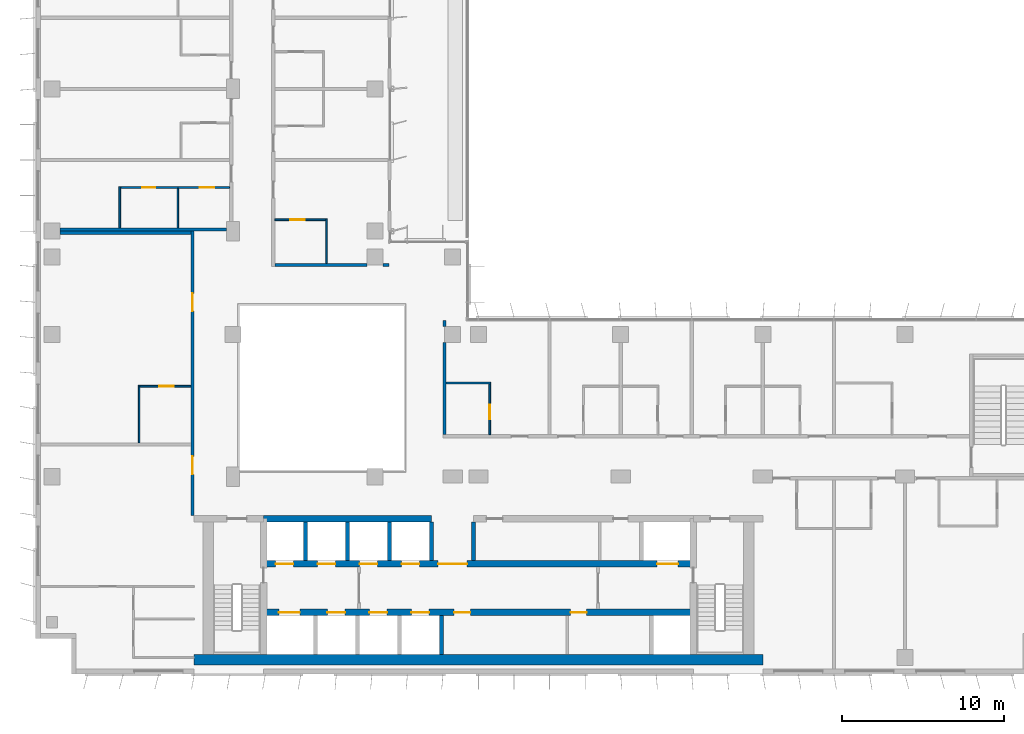
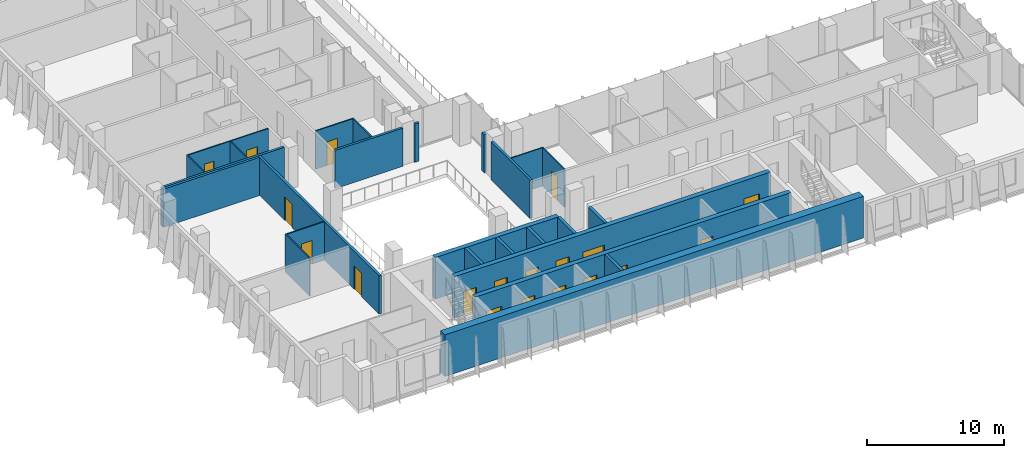
# One storey, part 12 of 22: 26 walls, 19 doors, 19 openings.
"""IFC4 building model written with IfcOpenShell, lengths in metres."""

from ifc_helpers import new_model, si_unit, direction, frame, frame_2d, origin, place, context, subcontext, project, spatial, rectangle, extrude, material, layer, layer_set, type_object, element, fill, save


model = new_model("IFC4")

# Units and contexts
model_context = context("Model", 3, precision=1e-05, world=origin(), true_north=direction((0.0, 1.0)))
body_context = subcontext(model_context, "Body", "Model", "MODEL_VIEW")
ifc_project = project(units=[si_unit("LENGTHUNIT", "METRE"), si_unit("AREAUNIT", "SQUARE_METRE"), si_unit("VOLUMEUNIT", "CUBIC_METRE"), si_unit("PLANEANGLEUNIT", "RADIAN"), si_unit("MASSUNIT", "GRAM", prefix="KILO")], contexts=[model_context])

# Site, building, storey
site_placement = place(None, origin())
site = spatial("IfcSite", under=ifc_project, at=site_placement, CompositionType="ELEMENT")
building_placement = place(site_placement, origin())
building = spatial("IfcBuilding", under=site, at=building_placement, Name="Kemantara Hotel Tower", CompositionType="ELEMENT")
storey_placement = place(building_placement, frame((0.0, 0.0, 153.10009765625)))
storey = spatial("IfcBuildingStorey", under=building, at=storey_placement, Name="L37", CompositionType="ELEMENT", Elevation=153.10009765625)

# Walls
ifc_material_1 = material(Name="Concrete fc 60 MPa", Category="concrete")
ifc_layer_1 = layer(ifc_material_1, 0.25)
ifc_layer_set_1 = layer_set([ifc_layer_1], Name="Concrete fc 60 MPa")
wall_type_1 = type_object("IfcWallType", Name="CORE WALL 250 FC60", PredefinedType="SHEAR", material=ifc_layer_set_1)
wall_1_placement = place(storey_placement, frame((25.10009765625, 1.199951171875, 0.0), z_axis=(0.0, 0.0, 1.0), x_axis=(0.0, 1.0, 0.0)))
element("IfcWall", 1, at=wall_1_placement, inside=storey, type_object=wall_type_1, Name="CORE WALL CW-DS25.1", PredefinedType="SHEAR", context=body_context, shape_type="SweptSolid", body=[
    extrude(rectangle(XDim=2.400146484375, YDim=0.25, at=frame_2d((1.2001953125, 0.0))), origin(), (0.0, 0.0, 1.0), 3.699951171875),
])
for number, where, z_axis, x_axis, name in (
    (2, (16.699951171875, 7.0, 0.0), (0.0, 0.0, 1.0), (0.0, 1.0, 0.0), "CORE WALL CW-DN16.7"),
    (3, (19.300048828125, 7.0, 0.0), (0.0, 0.0, 1.0), (0.0, 1.0, 0.0), "CORE WALL CW-DN19.3"),
    (4, (21.89990234375, 7.0, 0.0), (0.0, 0.0, 1.0), (0.0, 1.0, 0.0), "CORE WALL CW-DN21.9"),
    (5, (24.5, 7.0, 0.0), (0.0, 0.0, 1.0), (0.0, 1.0, 0.0), "CORE WALL CW-DN24.5"),
    (6, (27.10009765625, 7.0, 0.0), (0.0, 0.0, 1.0), (0.0, 1.0, 0.0), "CORE WALL CW-DN27.1"),
):
    element("IfcWall", number, at=place(storey_placement, frame(where, z_axis=z_axis, x_axis=x_axis)), inside=storey, type_object=wall_type_1, Name=name, PredefinedType="SHEAR", context=body_context, shape_type="SweptSolid", body=[
        extrude(rectangle(XDim=2.39990234375, YDim=0.25, at=frame_2d((1.199951171875, 0.0))), origin(), (0.0, 0.0, 1.0), 3.699951171875),
    ])
ifc_layer_2 = layer(ifc_material_1, 0.39990234375)
ifc_layer_set_2 = layer_set([ifc_layer_2], Name="Concrete fc 60 MPa")
wall_type_2 = type_object("IfcWallType", Name="CORE WALL 400 FC60", PredefinedType="SHEAR", material=ifc_layer_set_2)
wall_2_placement = place(storey_placement, frame((14.10009765625, 9.60009765625, 0.0), z_axis=(0.0, 0.0, 1.0), x_axis=(1.0, 0.0, 0.0)))
element("IfcWall", 7, at=wall_2_placement, inside=storey, type_object=wall_type_2, Name="CORE WALL CW-NN1", PredefinedType="SHEAR", context=body_context, shape_type="SweptSolid", body=[
    extrude(rectangle(XDim=10.39990234375, YDim=0.39990234375, at=frame_2d((5.199951171875, 0.0))), origin(), (0.0, 0.0, 1.0), 3.699951171875),
])

# Wall, openings, doors
wall_3_placement = place(storey_placement, frame((14.10009765625, 3.800048828125, 0.0), z_axis=(0.0, 0.0, 1.0), x_axis=(1.0, 0.0, 0.0)))
wall_3 = element("IfcWall", 8, at=wall_3_placement, inside=storey, type_object=wall_type_2, Name="CORE WALL CW-L1", PredefinedType="SHEAR", context=body_context, shape_type="SweptSolid", body=[
    extrude(rectangle(XDim=26.599853515625, YDim=0.39990234375, at=frame_2d((13.2998046875, 0.0))), origin(), (0.0, 0.0, 1.0), 3.699951171875),
])
opening_1_placement = place(wall_3_placement, frame((0.949951171875, 0.0, 0.0)))
opening_1 = element("IfcOpeningElement", 9, at=opening_1_placement, cuts=wall_3, Name="Opening C24-LD-FF1", PredefinedType="OPENING", context=body_context, shape_type="SweptSolid", body=[
    extrude(rectangle(XDim=1.300048828125, YDim=2.10009765625, at=frame_2d((0.64990234375, 1.050048828125))), frame((0.0, 0.2099609375, 0.0), z_axis=(0.0, -1.0, 0.0), x_axis=(1.0, 0.0, 0.0)), (0.0, 0.0, 1.0), 0.419921875),
])
opening_2_placement = place(wall_3_placement, frame((3.949951171875, 0.0, 0.0)))
opening_2 = element("IfcOpeningElement", 10, at=opening_2_placement, cuts=wall_3, Name="Opening C24-LD-SV1", PredefinedType="OPENING", context=body_context, shape_type="SweptSolid", body=[
    extrude(rectangle(XDim=1.10009765625, YDim=2.10009765625, at=frame_2d((0.550048828125, 1.050048828125))), frame((0.0, 0.2099609375, 0.0), z_axis=(0.0, -1.0, 0.0), x_axis=(1.0, 0.0, 0.0)), (0.0, 0.0, 1.0), 0.419921875),
])
opening_3_placement = place(wall_3_placement, frame((6.550048828125, 0.0, 0.0)))
opening_3 = element("IfcOpeningElement", 11, at=opening_3_placement, cuts=wall_3, Name="Opening C24-LD-SV2", PredefinedType="OPENING", context=body_context, shape_type="SweptSolid", body=[
    extrude(rectangle(XDim=1.10009765625, YDim=2.10009765625, at=frame_2d((0.550048828125, 1.050048828125))), frame((0.0, 0.2099609375, 0.0), z_axis=(0.0, -1.0, 0.0), x_axis=(1.0, 0.0, 0.0)), (0.0, 0.0, 1.0), 0.419921875),
])
opening_4_placement = place(wall_3_placement, frame((9.14990234375, 0.0, 0.0)))
opening_4 = element("IfcOpeningElement", 12, at=opening_4_placement, cuts=wall_3, Name="Opening C24-LD-SV3", PredefinedType="OPENING", context=body_context, shape_type="SweptSolid", body=[
    extrude(rectangle(XDim=1.10009765625, YDim=2.10009765625, at=frame_2d((0.550048828125, 1.050048828125))), frame((0.0, 0.2099609375, 0.0), z_axis=(0.0, -1.0, 0.0), x_axis=(1.0, 0.0, 0.0)), (0.0, 0.0, 1.0), 0.419921875),
])
opening_5_placement = place(wall_3_placement, frame((11.800048828125, 0.0, 0.0)))
opening_5 = element("IfcOpeningElement", 13, at=opening_5_placement, cuts=wall_3, Name="Opening C24-R-SM1", PredefinedType="OPENING", context=body_context, shape_type="SweptSolid", body=[
    extrude(rectangle(XDim=1.0, YDim=2.10009765625, at=frame_2d((0.5, 1.050048828125))), frame((0.0, 0.2099609375, 0.0), z_axis=(0.0, -1.0, 0.0), x_axis=(1.0, 0.0, 0.0)), (0.0, 0.0, 1.0), 0.419921875),
])
opening_6_placement = place(wall_3_placement, frame((19.0, 0.0, 0.0)))
opening_6 = element("IfcOpeningElement", 14, at=opening_6_placement, cuts=wall_3, Name="Opening C24-R-SM2", PredefinedType="OPENING", context=body_context, shape_type="SweptSolid", body=[
    extrude(rectangle(XDim=1.0, YDim=2.10009765625, at=frame_2d((0.5, 1.050048828125))), frame((0.0, 0.2099609375, 0.0), z_axis=(0.0, -1.0, 0.0), x_axis=(1.0, 0.0, 0.0)), (0.0, 0.0, 1.0), 0.419921875),
])
ifc_material_2 = material(Name="Steel fire door", Category="steel")
door_type_1 = type_object("IfcDoorType", Name="Fire door FD30S 1000 x 2100", OperationType="NOTDEFINED", PredefinedType="DOOR", material=ifc_material_2)
door_1_placement = place(opening_5_placement, frame((1.0, 0.0, 0.0), z_axis=(0.0, 0.0, 1.0), x_axis=(-1.0, 0.0, 0.0)))
door_1 = element("IfcDoor", 15, at=door_1_placement, inside=storey, type_object=door_type_1, Name="Housekeeping Store door", OperationType="SINGLE_SWING_RIGHT", OverallHeight=2.10009765625, OverallWidth=1.0, PredefinedType="DOOR", context=body_context, shape_type="SweptSolid", body=[
    extrude(rectangle(XDim=1.0, YDim=2.10009765625, at=frame_2d((0.5, 1.050048828125))), frame((0.0, 0.02490234375, 0.0), z_axis=(0.0, -1.0, 0.0), x_axis=(1.0, 0.0, 0.0)), (0.0, 0.0, 1.0), 0.050048828125),
])
fill(opening_5, door_1)
door_2_placement = place(opening_6_placement, frame((1.0, 0.0, 0.0), z_axis=(0.0, 0.0, 1.0), x_axis=(-1.0, 0.0, 0.0)))
door_2 = element("IfcDoor", 16, at=door_2_placement, inside=storey, type_object=door_type_1, Name="Staff Lounge door", OperationType="SINGLE_SWING_LEFT", OverallHeight=2.10009765625, OverallWidth=1.0, PredefinedType="DOOR", context=body_context, shape_type="SweptSolid", body=[
    extrude(rectangle(XDim=1.0, YDim=2.10009765625, at=frame_2d((0.5, 1.050048828125))), frame((0.0, 0.02490234375, 0.0), z_axis=(0.0, -1.0, 0.0), x_axis=(1.0, 0.0, 0.0)), (0.0, 0.0, 1.0), 0.050048828125),
])
fill(opening_6, door_2)
ifc_material_3 = material(Name="Stainless steel lift door", Category="steel")
door_type_2 = type_object("IfcDoorType", Name="Lift landing door 1100 x 2100 FD60", OperationType="DOUBLE_DOOR_SLIDING", PredefinedType="DOOR", material=ifc_material_3)
door_3_placement = place(opening_2_placement, origin())
door_3 = element("IfcDoor", 17, at=door_3_placement, inside=storey, type_object=door_type_2, Name="Lift SV1 landing door", OperationType="DOUBLE_DOOR_SLIDING", OverallHeight=2.10009765625, OverallWidth=1.10009765625, PredefinedType="DOOR", context=body_context, shape_type="SweptSolid", body=[
    extrude(rectangle(XDim=1.10009765625, YDim=2.10009765625, at=frame_2d((0.550048828125, 1.050048828125))), frame((0.0, 0.02490234375, 0.0), z_axis=(0.0, -1.0, 0.0), x_axis=(1.0, 0.0, 0.0)), (0.0, 0.0, 1.0), 0.050048828125),
])
fill(opening_2, door_3)
door_4_placement = place(opening_3_placement, origin())
door_4 = element("IfcDoor", 18, at=door_4_placement, inside=storey, type_object=door_type_2, Name="Lift SV2 landing door", OperationType="DOUBLE_DOOR_SLIDING", OverallHeight=2.10009765625, OverallWidth=1.10009765625, PredefinedType="DOOR", context=body_context, shape_type="SweptSolid", body=[
    extrude(rectangle(XDim=1.10009765625, YDim=2.10009765625, at=frame_2d((0.550048828125, 1.050048828125))), frame((0.0, 0.02490234375, 0.0), z_axis=(0.0, -1.0, 0.0), x_axis=(1.0, 0.0, 0.0)), (0.0, 0.0, 1.0), 0.050048828125),
])
fill(opening_3, door_4)
door_5_placement = place(opening_4_placement, origin())
door_5 = element("IfcDoor", 19, at=door_5_placement, inside=storey, type_object=door_type_2, Name="Lift SV3 landing door", OperationType="DOUBLE_DOOR_SLIDING", OverallHeight=2.10009765625, OverallWidth=1.10009765625, PredefinedType="DOOR", context=body_context, shape_type="SweptSolid", body=[
    extrude(rectangle(XDim=1.10009765625, YDim=2.10009765625, at=frame_2d((0.550048828125, 1.050048828125))), frame((0.0, 0.02490234375, 0.0), z_axis=(0.0, -1.0, 0.0), x_axis=(1.0, 0.0, 0.0)), (0.0, 0.0, 1.0), 0.050048828125),
])
fill(opening_4, door_5)
door_type_3 = type_object("IfcDoorType", Name="Lift landing door 1300 x 2100 FD90", OperationType="DOUBLE_DOOR_SLIDING", PredefinedType="DOOR", material=ifc_material_3)
door_6_placement = place(opening_1_placement, origin())
door_6 = element("IfcDoor", 20, at=door_6_placement, inside=storey, type_object=door_type_3, Name="Lift FF1 landing door", OperationType="DOUBLE_DOOR_SLIDING", OverallHeight=2.10009765625, OverallWidth=1.300048828125, PredefinedType="DOOR", context=body_context, shape_type="SweptSolid", body=[
    extrude(rectangle(XDim=1.300048828125, YDim=2.10009765625, at=frame_2d((0.64990234375, 1.050048828125))), frame((0.0, 0.02490234375, 0.0), z_axis=(0.0, -1.0, 0.0), x_axis=(1.0, 0.0, 0.0)), (0.0, 0.0, 1.0), 0.050048828125),
])
fill(opening_1, door_6)

wall_4_placement = place(storey_placement, frame((14.10009765625, 6.800048828125, 0.0), z_axis=(0.0, 0.0, 1.0), x_axis=(1.0, 0.0, 0.0)))
wall_4 = element("IfcWall", 21, at=wall_4_placement, inside=storey, type_object=wall_type_2, Name="CORE WALL CW-L2", PredefinedType="SHEAR", context=body_context, shape_type="SweptSolid", body=[
    extrude(rectangle(XDim=26.599853515625, YDim=0.39990234375, at=frame_2d((13.2998046875, 0.0))), origin(), (0.0, 0.0, 1.0), 3.699951171875),
])
opening_7_placement = place(wall_4_placement, frame((10.800048828125, 0.0, 0.0)))
opening_7 = element("IfcOpeningElement", 22, at=opening_7_placement, cuts=wall_4, Name="Opening C24-VL", PredefinedType="OPENING", context=body_context, shape_type="SweptSolid", body=[
    extrude(rectangle(XDim=1.800048828125, YDim=2.10009765625, at=frame_2d((0.89990234375, 1.050048828125))), frame((0.0, 0.2099609375, 0.0), z_axis=(0.0, -1.0, 0.0), x_axis=(1.0, 0.0, 0.0)), (0.0, 0.0, 1.0), 0.419921875),
])
opening_8_placement = place(wall_4_placement, frame((0.75, 0.0, 0.0)))
opening_8 = element("IfcOpeningElement", 23, at=opening_8_placement, cuts=wall_4, Name="Opening C24-LD-MR1", PredefinedType="OPENING", context=body_context, shape_type="SweptSolid", body=[
    extrude(rectangle(XDim=1.10009765625, YDim=2.10009765625, at=frame_2d((0.550048828125, 1.050048828125))), frame((0.0, 0.2099609375, 0.0), z_axis=(0.0, -1.0, 0.0), x_axis=(1.0, 0.0, 0.0)), (0.0, 0.0, 1.0), 0.419921875),
])
opening_9_placement = place(wall_4_placement, frame((3.35009765625, 0.0, 0.0)))
opening_9 = element("IfcOpeningElement", 24, at=opening_9_placement, cuts=wall_4, Name="Opening C24-LD-MR2", PredefinedType="OPENING", context=body_context, shape_type="SweptSolid", body=[
    extrude(rectangle(XDim=1.10009765625, YDim=2.10009765625, at=frame_2d((0.550048828125, 1.050048828125))), frame((0.0, 0.2099609375, 0.0), z_axis=(0.0, -1.0, 0.0), x_axis=(1.0, 0.0, 0.0)), (0.0, 0.0, 1.0), 0.419921875),
])
opening_10_placement = place(wall_4_placement, frame((5.949951171875, 0.0, 0.0)))
opening_10 = element("IfcOpeningElement", 25, at=opening_10_placement, cuts=wall_4, Name="Opening C24-LD-MR3", PredefinedType="OPENING", context=body_context, shape_type="SweptSolid", body=[
    extrude(rectangle(XDim=1.10009765625, YDim=2.10009765625, at=frame_2d((0.550048828125, 1.050048828125))), frame((0.0, 0.2099609375, 0.0), z_axis=(0.0, -1.0, 0.0), x_axis=(1.0, 0.0, 0.0)), (0.0, 0.0, 1.0), 0.419921875),
])
opening_11_placement = place(wall_4_placement, frame((8.550048828125, 0.0, 0.0)))
opening_11 = element("IfcOpeningElement", 26, at=opening_11_placement, cuts=wall_4, Name="Opening C24-LD-MR4", PredefinedType="OPENING", context=body_context, shape_type="SweptSolid", body=[
    extrude(rectangle(XDim=1.10009765625, YDim=2.10009765625, at=frame_2d((0.550048828125, 1.050048828125))), frame((0.0, 0.2099609375, 0.0), z_axis=(0.0, -1.0, 0.0), x_axis=(1.0, 0.0, 0.0)), (0.0, 0.0, 1.0), 0.419921875),
])
opening_12_placement = place(wall_4_placement, frame((24.35009765625, 0.0, 0.0)))
opening_12 = element("IfcOpeningElement", 27, at=opening_12_placement, cuts=wall_4, Name="Opening C24-LD-FF2", PredefinedType="OPENING", context=body_context, shape_type="SweptSolid", body=[
    extrude(rectangle(XDim=1.300048828125, YDim=2.10009765625, at=frame_2d((0.64990234375, 1.050048828125))), frame((0.0, 0.2099609375, 0.0), z_axis=(0.0, -1.0, 0.0), x_axis=(1.0, 0.0, 0.0)), (0.0, 0.0, 1.0), 0.419921875),
])
door_type_4 = type_object("IfcDoorType", Name="Fire door pair FD60 1800 x 2100", OperationType="DOUBLE_DOOR_SINGLE_SWING", PredefinedType="DOOR", material=ifc_material_2)
door_7_placement = place(opening_7_placement, frame((1.800048828125, 0.0, 0.0), z_axis=(0.0, 0.0, 1.0), x_axis=(-1.0, 0.0, 0.0)))
door_7 = element("IfcDoor", 28, at=door_7_placement, inside=storey, type_object=door_type_4, Name="Lift lobby entry door", OperationType="DOUBLE_DOOR_SINGLE_SWING", OverallHeight=2.10009765625, OverallWidth=1.800048828125, PredefinedType="DOOR", context=body_context, shape_type="SweptSolid", body=[
    extrude(rectangle(XDim=1.800048828125, YDim=2.10009765625, at=frame_2d((0.89990234375, 1.050048828125))), frame((0.0, 0.02490234375, 0.0), z_axis=(0.0, -1.0, 0.0), x_axis=(1.0, 0.0, 0.0)), (0.0, 0.0, 1.0), 0.050048828125),
])
fill(opening_7, door_7)
door_8_placement = place(opening_8_placement, origin())
door_8 = element("IfcDoor", 29, at=door_8_placement, inside=storey, type_object=door_type_2, Name="Lift MR1 landing door", OperationType="DOUBLE_DOOR_SLIDING", OverallHeight=2.10009765625, OverallWidth=1.10009765625, PredefinedType="DOOR", context=body_context, shape_type="SweptSolid", body=[
    extrude(rectangle(XDim=1.10009765625, YDim=2.10009765625, at=frame_2d((0.550048828125, 1.050048828125))), frame((0.0, 0.02490234375, 0.0), z_axis=(0.0, -1.0, 0.0), x_axis=(1.0, 0.0, 0.0)), (0.0, 0.0, 1.0), 0.050048828125),
])
fill(opening_8, door_8)
door_9_placement = place(opening_9_placement, origin())
door_9 = element("IfcDoor", 30, at=door_9_placement, inside=storey, type_object=door_type_2, Name="Lift MR2 landing door", OperationType="DOUBLE_DOOR_SLIDING", OverallHeight=2.10009765625, OverallWidth=1.10009765625, PredefinedType="DOOR", context=body_context, shape_type="SweptSolid", body=[
    extrude(rectangle(XDim=1.10009765625, YDim=2.10009765625, at=frame_2d((0.550048828125, 1.050048828125))), frame((0.0, 0.02490234375, 0.0), z_axis=(0.0, -1.0, 0.0), x_axis=(1.0, 0.0, 0.0)), (0.0, 0.0, 1.0), 0.050048828125),
])
fill(opening_9, door_9)
door_10_placement = place(opening_10_placement, origin())
door_10 = element("IfcDoor", 31, at=door_10_placement, inside=storey, type_object=door_type_2, Name="Lift MR3 landing door", OperationType="DOUBLE_DOOR_SLIDING", OverallHeight=2.10009765625, OverallWidth=1.10009765625, PredefinedType="DOOR", context=body_context, shape_type="SweptSolid", body=[
    extrude(rectangle(XDim=1.10009765625, YDim=2.10009765625, at=frame_2d((0.550048828125, 1.050048828125))), frame((0.0, 0.02490234375, 0.0), z_axis=(0.0, -1.0, 0.0), x_axis=(1.0, 0.0, 0.0)), (0.0, 0.0, 1.0), 0.050048828125),
])
fill(opening_10, door_10)
door_11_placement = place(opening_11_placement, origin())
door_11 = element("IfcDoor", 32, at=door_11_placement, inside=storey, type_object=door_type_2, Name="Lift MR4 landing door", OperationType="DOUBLE_DOOR_SLIDING", OverallHeight=2.10009765625, OverallWidth=1.10009765625, PredefinedType="DOOR", context=body_context, shape_type="SweptSolid", body=[
    extrude(rectangle(XDim=1.10009765625, YDim=2.10009765625, at=frame_2d((0.550048828125, 1.050048828125))), frame((0.0, 0.02490234375, 0.0), z_axis=(0.0, -1.0, 0.0), x_axis=(1.0, 0.0, 0.0)), (0.0, 0.0, 1.0), 0.050048828125),
])
fill(opening_11, door_11)
door_12_placement = place(opening_12_placement, origin())
door_12 = element("IfcDoor", 33, at=door_12_placement, inside=storey, type_object=door_type_3, Name="Lift FF2 landing door", OperationType="DOUBLE_DOOR_SLIDING", OverallHeight=2.10009765625, OverallWidth=1.300048828125, PredefinedType="DOOR", context=body_context, shape_type="SweptSolid", body=[
    extrude(rectangle(XDim=1.300048828125, YDim=2.10009765625, at=frame_2d((0.64990234375, 1.050048828125))), frame((0.0, 0.02490234375, 0.0), z_axis=(0.0, -1.0, 0.0), x_axis=(1.0, 0.0, 0.0)), (0.0, 0.0, 1.0), 0.050048828125),
])
fill(opening_12, door_12)

# Wall
ifc_layer_3 = layer(ifc_material_1, 0.64990234375)
ifc_layer_set_3 = layer_set([ifc_layer_3], Name="Concrete fc 60 MPa")
wall_type_3 = type_object("IfcWallType", Name="CORE WALL 650 FC60", PredefinedType="SHEAR", material=ifc_layer_set_3)
wall_5_placement = place(storey_placement, frame((9.800048828125, 0.875, 0.0), z_axis=(0.0, 0.0, 1.0), x_axis=(1.0, 0.0, 0.0)))
element("IfcWall", 34, at=wall_5_placement, inside=storey, type_object=wall_type_3, Name="CORE WALL CW-S", PredefinedType="SHEAR", context=body_context, shape_type="SweptSolid", body=[
    extrude(rectangle(XDim=35.199951171875, YDim=0.64990234375, at=frame_2d((17.60009765625, 0.0))), origin(), (0.0, 0.0, 1.0), 3.699951171875),
])

# Wall, openings, doors
ifc_material_4 = material(Name="Gypsum board partition, steel studs and mineral wool, 200 mm", Category="steel")
ifc_layer_4 = layer(ifc_material_4, 0.199951171875)
ifc_layer_set_4 = layer_set([ifc_layer_4], Name="Gypsum board partition, steel studs and mineral wool, 200 mm")
wall_type_4 = type_object("IfcWallType", Name="CORRIDOR WALL 200", PredefinedType="PARTITIONING", material=ifc_layer_set_4)
wall_6_placement = place(storey_placement, frame((9.699951171875, 9.800048828125, 0.0), z_axis=(0.0, 0.0, 1.0), x_axis=(0.0, 1.0, 0.0)))
wall_6 = element("IfcWall", 35, at=wall_6_placement, inside=storey, type_object=wall_type_4, Name="CORRIDOR WALL 200 014", PredefinedType="PARTITIONING", context=body_context, shape_type="SweptSolid", body=[
    extrude(rectangle(XDim=17.599853515625, YDim=0.199951171875, at=frame_2d((8.7998046875, 0.0))), origin(), (0.0, 0.0, 1.0), 3.39990234375),
])
opening_13_placement = place(wall_6_placement, frame((2.550048828125, 0.0, 0.0)))
opening_13 = element("IfcOpeningElement", 36, at=opening_13_placement, cuts=wall_6, Name="Opening F17-019", PredefinedType="OPENING", context=body_context, shape_type="SweptSolid", body=[
    extrude(rectangle(XDim=1.10009765625, YDim=2.10009765625, at=frame_2d((0.550048828125, 1.050048828125))), frame((0.0, 0.10986328125, 0.0), z_axis=(0.0, -1.0, 0.0), x_axis=(1.0, 0.0, 0.0)), (0.0, 0.0, 1.0), 0.219970703125),
])
opening_14_placement = place(wall_6_placement, frame((12.64990234375, 0.0, 0.0)))
opening_14 = element("IfcOpeningElement", 37, at=opening_14_placement, cuts=wall_6, Name="Opening F17-023", PredefinedType="OPENING", context=body_context, shape_type="SweptSolid", body=[
    extrude(rectangle(XDim=1.10009765625, YDim=2.10009765625, at=frame_2d((0.550048828125, 1.050048828125))), frame((0.0, 0.10986328125, 0.0), z_axis=(0.0, -1.0, 0.0), x_axis=(1.0, 0.0, 0.0)), (0.0, 0.0, 1.0), 0.219970703125),
])
ifc_material_5 = material(Name="Hardwood veneer door leaf with steel frame", Category="steel")
door_type_5 = type_object("IfcDoorType", Name="SUITE ENTRANCE DOOR 1100 X 2100 FD30S", OperationType="NOTDEFINED", PredefinedType="DOOR", material=ifc_material_5)
door_13_placement = place(opening_13_placement, origin())
door_13 = element("IfcDoor", 38, at=door_13_placement, inside=storey, type_object=door_type_5, Name="SUITE ENTRANCE DOOR F17-019", OperationType="SINGLE_SWING_RIGHT", OverallHeight=2.10009765625, OverallWidth=1.10009765625, PredefinedType="DOOR", context=body_context, shape_type="SweptSolid", body=[
    extrude(rectangle(XDim=1.10009765625, YDim=2.10009765625, at=frame_2d((0.550048828125, 1.050048828125))), frame((0.0, 0.02490234375, 0.0), z_axis=(0.0, -1.0, 0.0), x_axis=(1.0, 0.0, 0.0)), (0.0, 0.0, 1.0), 0.050048828125),
])
fill(opening_13, door_13)
door_14_placement = place(opening_14_placement, origin())
door_14 = element("IfcDoor", 39, at=door_14_placement, inside=storey, type_object=door_type_5, Name="SUITE ENTRANCE DOOR F17-023", OperationType="SINGLE_SWING_RIGHT", OverallHeight=2.10009765625, OverallWidth=1.10009765625, PredefinedType="DOOR", context=body_context, shape_type="SweptSolid", body=[
    extrude(rectangle(XDim=1.10009765625, YDim=2.10009765625, at=frame_2d((0.550048828125, 1.050048828125))), frame((0.0, 0.02490234375, 0.0), z_axis=(0.0, -1.0, 0.0), x_axis=(1.0, 0.0, 0.0)), (0.0, 0.0, 1.0), 0.050048828125),
])
fill(opening_14, door_14)

# Walls
ifc_layer_5 = layer(ifc_material_4, 0.199951171875)
ifc_layer_set_5 = layer_set([ifc_layer_5], Name="Gypsum board partition, steel studs and mineral wool, 200 mm")
wall_type_5 = type_object("IfcWallType", Name="GUEST ROOM PARTY WALL 200", PredefinedType="PARTITIONING", material=ifc_layer_set_5)
wall_7_placement = place(storey_placement, frame((25.300048828125, 14.800048828125, 0.0), z_axis=(0.0, 0.0, 1.0), x_axis=(0.0, 1.0, 0.0)))
element("IfcWall", 40, at=wall_7_placement, inside=storey, type_object=wall_type_5, Name="GUEST ROOM PARTY WALL 200 008", PredefinedType="PARTITIONING", context=body_context, shape_type="SweptSolid", body=[
    extrude(rectangle(XDim=5.699951171875, YDim=0.199951171875, at=frame_2d((2.85009765625, 0.0))), origin(), (0.0, 0.0, 1.0), 3.39990234375),
])
wall_8_placement = place(storey_placement, frame((25.300048828125, 21.5, 0.0), z_axis=(0.0, 0.0, 1.0), x_axis=(0.0, 1.0, 0.0)))
element("IfcWall", 41, at=wall_8_placement, inside=storey, type_object=wall_type_5, Name="GUEST ROOM PARTY WALL 200 009", PredefinedType="PARTITIONING", context=body_context, shape_type="SweptSolid", body=[
    extrude(rectangle(XDim=0.3701171875, YDim=0.199951171875, at=frame_2d((0.18505859375, 0.0))), origin(), (0.0, 0.0, 1.0), 3.39990234375),
])
wall_9_placement = place(storey_placement, frame((1.5, 27.300048828125, 0.0), z_axis=(0.0, 0.0, 1.0), x_axis=(1.0, 0.0, 0.0)))
element("IfcWall", 42, at=wall_9_placement, inside=storey, type_object=wall_type_5, Name="GUEST ROOM PARTY WALL 200 016", PredefinedType="PARTITIONING", context=body_context, shape_type="SweptSolid", body=[
    extrude(rectangle(XDim=8.10009765625, YDim=0.199951171875, at=frame_2d((4.050048828125, 0.0))), origin(), (0.0, 0.0, 1.0), 3.39990234375),
])
wall_10_placement = place(storey_placement, frame((1.5, 27.5, 0.0), z_axis=(0.0, 0.0, 1.0), x_axis=(1.0, 0.0, 0.0)))
element("IfcWall", 43, at=wall_10_placement, inside=storey, type_object=wall_type_5, Name="GUEST ROOM PARTY WALL 200 021", PredefinedType="PARTITIONING", context=body_context, shape_type="SweptSolid", body=[
    extrude(rectangle(XDim=10.2998046875, YDim=0.199951171875, at=frame_2d((5.14990234375, 0.0))), origin(), (0.0, 0.0, 1.0), 3.39990234375),
])
wall_11_placement = place(storey_placement, frame((14.800048828125, 25.300048828125, 0.0), z_axis=(0.0, 0.0, 1.0), x_axis=(1.0, 0.0, 0.0)))
element("IfcWall", 44, at=wall_11_placement, inside=storey, type_object=wall_type_5, Name="GUEST ROOM PARTY WALL 200 033", PredefinedType="PARTITIONING", context=body_context, shape_type="SweptSolid", body=[
    extrude(rectangle(XDim=5.699951171875, YDim=0.199951171875, at=frame_2d((2.85009765625, 0.0))), origin(), (0.0, 0.0, 1.0), 3.39990234375),
])
wall_12_placement = place(storey_placement, frame((21.5, 25.300048828125, 0.0), z_axis=(0.0, 0.0, 1.0), x_axis=(1.0, 0.0, 0.0)))
element("IfcWall", 45, at=wall_12_placement, inside=storey, type_object=wall_type_5, Name="GUEST ROOM PARTY WALL 200 034", PredefinedType="PARTITIONING", context=body_context, shape_type="SweptSolid", body=[
    extrude(rectangle(XDim=0.3701171875, YDim=0.199951171875, at=frame_2d((0.18505859375, 0.0))), origin(), (0.0, 0.0, 1.0), 3.39990234375),
])
ifc_material_6 = material(Name="Gypsum board partition on steel studs, 100 mm", Category="steel")
ifc_layer_6 = layer(ifc_material_6, 0.10009765625)
ifc_layer_set_6 = layer_set([ifc_layer_6], Name="Gypsum board partition on steel studs, 100 mm")
wall_type_6 = type_object("IfcWallType", Name="ROOM PARTITION 100", PredefinedType="PARTITIONING", material=ifc_layer_set_6)
wall_13_placement = place(storey_placement, frame((25.39990234375, 18.0, 0.0), z_axis=(0.0, 0.0, 1.0), x_axis=(1.0, 0.0, 0.0)))
element("IfcWall", 46, at=wall_13_placement, inside=storey, type_object=wall_type_6, Name="ROOM PARTITION 100 043", PredefinedType="PARTITIONING", context=body_context, shape_type="SweptSolid", body=[
    extrude(rectangle(XDim=2.75, YDim=0.10009765625, at=frame_2d((1.375, 0.0))), origin(), (0.0, 0.0, 1.0), 3.39990234375),
])

# Wall, opening, door
wall_14_placement = place(storey_placement, frame((28.10009765625, 14.800048828125, 0.0), z_axis=(0.0, 0.0, 1.0), x_axis=(0.0, 1.0, 0.0)))
wall_14 = element("IfcWall", 47, at=wall_14_placement, inside=storey, type_object=wall_type_6, Name="ROOM PARTITION 100 045", PredefinedType="PARTITIONING", context=body_context, shape_type="SweptSolid", body=[
    extrude(rectangle(XDim=3.14990234375, YDim=0.10009765625, at=frame_2d((1.574951171875, 0.0))), origin(), (0.0, 0.0, 1.0), 3.39990234375),
])
opening_15_placement = place(wall_14_placement, frame((0.949951171875, 0.0, 0.0)))
opening_15 = element("IfcOpeningElement", 48, at=opening_15_placement, cuts=wall_14, Name="Opening F17-008", PredefinedType="OPENING", context=body_context, shape_type="SweptSolid", body=[
    extrude(rectangle(XDim=0.89990234375, YDim=2.10009765625, at=frame_2d((0.449951171875, 1.050048828125))), frame((0.0, 0.06005859375, 0.0), z_axis=(0.0, -1.0, 0.0), x_axis=(1.0, 0.0, 0.0)), (0.0, 0.0, 1.0), 0.1201171875),
])
door_type_6 = type_object("IfcDoorType", Name="BATHROOM DOOR 900 X 2100", OperationType="NOTDEFINED", PredefinedType="DOOR", material=ifc_material_5)
door_15_placement = place(opening_15_placement, origin())
door_15 = element("IfcDoor", 49, at=door_15_placement, inside=storey, type_object=door_type_6, Name="BATHROOM DOOR F17-008", OperationType="SINGLE_SWING_LEFT", OverallHeight=2.10009765625, OverallWidth=0.89990234375, PredefinedType="DOOR", context=body_context, shape_type="SweptSolid", body=[
    extrude(rectangle(XDim=0.89990234375, YDim=2.10009765625, at=frame_2d((0.449951171875, 1.050048828125))), frame((0.0, 0.02490234375, 0.0), z_axis=(0.0, -1.0, 0.0), x_axis=(1.0, 0.0, 0.0)), (0.0, 0.0, 1.0), 0.050048828125),
])
fill(opening_15, door_15)

wall_15_placement = place(storey_placement, frame((9.60009765625, 17.800048828125, 0.0), z_axis=(0.0, 0.0, 1.0), x_axis=(-1.0, 0.0, 0.0)))
wall_15 = element("IfcWall", 50, at=wall_15_placement, inside=storey, type_object=wall_type_6, Name="ROOM PARTITION 100 046", PredefinedType="PARTITIONING", context=body_context, shape_type="SweptSolid", body=[
    extrude(rectangle(XDim=3.150146484375, YDim=0.10009765625, at=frame_2d((1.5751953125, 0.0))), origin(), (0.0, 0.0, 1.0), 3.39990234375),
])
opening_16_placement = place(wall_15_placement, frame((1.050048828125, 0.0, 0.0)))
opening_16 = element("IfcOpeningElement", 51, at=opening_16_placement, cuts=wall_15, Name="Opening F17-024", PredefinedType="OPENING", context=body_context, shape_type="SweptSolid", body=[
    extrude(rectangle(XDim=0.89990234375, YDim=2.10009765625, at=frame_2d((0.449951171875, 1.050048828125))), frame((0.0, 0.06005859375, 0.0), z_axis=(0.0, -1.0, 0.0), x_axis=(1.0, 0.0, 0.0)), (0.0, 0.0, 1.0), 0.1201171875),
])
door_16_placement = place(opening_16_placement, origin())
door_16 = element("IfcDoor", 52, at=door_16_placement, inside=storey, type_object=door_type_6, Name="BATHROOM DOOR F17-024", OperationType="SINGLE_SWING_LEFT", OverallHeight=2.10009765625, OverallWidth=0.89990234375, PredefinedType="DOOR", context=body_context, shape_type="SweptSolid", body=[
    extrude(rectangle(XDim=0.89990234375, YDim=2.10009765625, at=frame_2d((0.449951171875, 1.050048828125))), frame((0.0, 0.02490234375, 0.0), z_axis=(0.0, -1.0, 0.0), x_axis=(1.0, 0.0, 0.0)), (0.0, 0.0, 1.0), 0.050048828125),
])
fill(opening_16, door_16)

# Walls
wall_16_placement = place(storey_placement, frame((6.39990234375, 14.300048828125, 0.0), z_axis=(0.0, 0.0, 1.0), x_axis=(0.0, 1.0, 0.0)))
element("IfcWall", 53, at=wall_16_placement, inside=storey, type_object=wall_type_6, Name="ROOM PARTITION 100 060", PredefinedType="PARTITIONING", context=body_context, shape_type="SweptSolid", body=[
    extrude(rectangle(XDim=3.550048828125, YDim=0.10009765625, at=frame_2d((1.77490234375, 0.0))), origin(), (0.0, 0.0, 1.0), 3.39990234375),
])
wall_17_placement = place(storey_placement, frame((5.199951171875, 27.60009765625, 0.0), z_axis=(0.0, 0.0, 1.0), x_axis=(0.0, 1.0, 0.0)))
element("IfcWall", 54, at=wall_17_placement, inside=storey, type_object=wall_type_6, Name="ROOM PARTITION 100 061", PredefinedType="PARTITIONING", context=body_context, shape_type="SweptSolid", body=[
    extrude(rectangle(XDim=2.5498046875, YDim=0.10009765625, at=frame_2d((1.27490234375, 0.0))), origin(), (0.0, 0.0, 1.0), 3.39990234375),
])
wall_18_placement = place(storey_placement, frame((8.800048828125, 27.60009765625, 0.0), z_axis=(0.0, 0.0, 1.0), x_axis=(0.0, 1.0, 0.0)))
element("IfcWall", 55, at=wall_18_placement, inside=storey, type_object=wall_type_6, Name="ROOM PARTITION 100 062", PredefinedType="PARTITIONING", context=body_context, shape_type="SweptSolid", body=[
    extrude(rectangle(XDim=2.449951171875, YDim=0.10009765625, at=frame_2d((1.22509765625, 0.0))), origin(), (0.0, 0.0, 1.0), 3.39990234375),
])

# Wall, openings, doors
wall_19_placement = place(storey_placement, frame((12.0, 30.10009765625, 0.0), z_axis=(0.0, 0.0, 1.0), x_axis=(-1.0, 0.0, 0.0)))
wall_19 = element("IfcWall", 56, at=wall_19_placement, inside=storey, type_object=wall_type_6, Name="ROOM PARTITION 100 065", PredefinedType="PARTITIONING", context=body_context, shape_type="SweptSolid", body=[
    extrude(rectangle(XDim=6.75, YDim=0.10009765625, at=frame_2d((3.375, 0.0))), origin(), (0.0, 0.0, 1.0), 3.39990234375),
])
opening_17_placement = place(wall_19_placement, frame((0.949951171875, 0.0, 0.0)))
opening_17 = element("IfcOpeningElement", 57, at=opening_17_placement, cuts=wall_19, Name="Opening F17-026", PredefinedType="OPENING", context=body_context, shape_type="SweptSolid", body=[
    extrude(rectangle(XDim=0.89990234375, YDim=2.10009765625, at=frame_2d((0.449951171875, 1.050048828125))), frame((0.0, 0.06005859375, 0.0), z_axis=(0.0, -1.0, 0.0), x_axis=(1.0, 0.0, 0.0)), (0.0, 0.0, 1.0), 0.1201171875),
])
opening_18_placement = place(wall_19_placement, frame((4.60009765625, 0.0, 0.0)))
opening_18 = element("IfcOpeningElement", 58, at=opening_18_placement, cuts=wall_19, Name="Opening F17-027", PredefinedType="OPENING", context=body_context, shape_type="SweptSolid", body=[
    extrude(rectangle(XDim=0.800048828125, YDim=2.10009765625, at=frame_2d((0.39990234375, 1.050048828125))), frame((0.0, 0.06005859375, 0.0), z_axis=(0.0, -1.0, 0.0), x_axis=(1.0, 0.0, 0.0)), (0.0, 0.0, 1.0), 0.1201171875),
])
door_17_placement = place(opening_17_placement, origin())
door_17 = element("IfcDoor", 59, at=door_17_placement, inside=storey, type_object=door_type_6, Name="BATHROOM DOOR F17-026", OperationType="SINGLE_SWING_LEFT", OverallHeight=2.10009765625, OverallWidth=0.89990234375, PredefinedType="DOOR", context=body_context, shape_type="SweptSolid", body=[
    extrude(rectangle(XDim=0.89990234375, YDim=2.10009765625, at=frame_2d((0.449951171875, 1.050048828125))), frame((0.0, 0.02490234375, 0.0), z_axis=(0.0, -1.0, 0.0), x_axis=(1.0, 0.0, 0.0)), (0.0, 0.0, 1.0), 0.050048828125),
])
fill(opening_17, door_17)
door_type_7 = type_object("IfcDoorType", Name="INTERNAL DOOR 800 X 2100", OperationType="NOTDEFINED", PredefinedType="DOOR", material=ifc_material_5)
door_18_placement = place(opening_18_placement, origin())
door_18 = element("IfcDoor", 60, at=door_18_placement, inside=storey, type_object=door_type_7, Name="INTERNAL DOOR F17-027", OperationType="SINGLE_SWING_LEFT", OverallHeight=2.10009765625, OverallWidth=0.800048828125, PredefinedType="DOOR", context=body_context, shape_type="SweptSolid", body=[
    extrude(rectangle(XDim=0.800048828125, YDim=2.10009765625, at=frame_2d((0.39990234375, 1.050048828125))), frame((0.0, 0.02490234375, 0.0), z_axis=(0.0, -1.0, 0.0), x_axis=(1.0, 0.0, 0.0)), (0.0, 0.0, 1.0), 0.050048828125),
])
fill(opening_18, door_18)

# Wall
wall_20_placement = place(storey_placement, frame((18.0, 25.39990234375, 0.0), z_axis=(0.0, 0.0, 1.0), x_axis=(0.0, 1.0, 0.0)))
element("IfcWall", 61, at=wall_20_placement, inside=storey, type_object=wall_type_6, Name="ROOM PARTITION 100 074", PredefinedType="PARTITIONING", context=body_context, shape_type="SweptSolid", body=[
    extrude(rectangle(XDim=2.75, YDim=0.10009765625, at=frame_2d((1.375, 0.0))), origin(), (0.0, 0.0, 1.0), 3.39990234375),
])

# Wall, opening, door
wall_21_placement = place(storey_placement, frame((17.949951171875, 28.10009765625, 0.0), z_axis=(0.0, 0.0, 1.0), x_axis=(-1.0, 0.0, 0.0)))
wall_21 = element("IfcWall", 62, at=wall_21_placement, inside=storey, type_object=wall_type_6, Name="ROOM PARTITION 100 075", PredefinedType="PARTITIONING", context=body_context, shape_type="SweptSolid", body=[
    extrude(rectangle(XDim=3.14990234375, YDim=0.10009765625, at=frame_2d((1.574951171875, 0.0))), origin(), (0.0, 0.0, 1.0), 3.39990234375),
])
opening_19_placement = place(wall_21_placement, frame((1.300048828125, 0.0, 0.0)))
opening_19 = element("IfcOpeningElement", 63, at=opening_19_placement, cuts=wall_21, Name="Opening F17-039", PredefinedType="OPENING", context=body_context, shape_type="SweptSolid", body=[
    extrude(rectangle(XDim=0.89990234375, YDim=2.10009765625, at=frame_2d((0.449951171875, 1.050048828125))), frame((0.0, 0.06005859375, 0.0), z_axis=(0.0, -1.0, 0.0), x_axis=(1.0, 0.0, 0.0)), (0.0, 0.0, 1.0), 0.1201171875),
])
door_19_placement = place(opening_19_placement, origin())
door_19 = element("IfcDoor", 64, at=door_19_placement, inside=storey, type_object=door_type_6, Name="BATHROOM DOOR F17-039", OperationType="SINGLE_SWING_RIGHT", OverallHeight=2.10009765625, OverallWidth=0.89990234375, PredefinedType="DOOR", context=body_context, shape_type="SweptSolid", body=[
    extrude(rectangle(XDim=0.89990234375, YDim=2.10009765625, at=frame_2d((0.449951171875, 1.050048828125))), frame((0.0, 0.02490234375, 0.0), z_axis=(0.0, -1.0, 0.0), x_axis=(1.0, 0.0, 0.0)), (0.0, 0.0, 1.0), 0.050048828125),
])
fill(opening_19, door_19)

save(model, "model.ifc")
